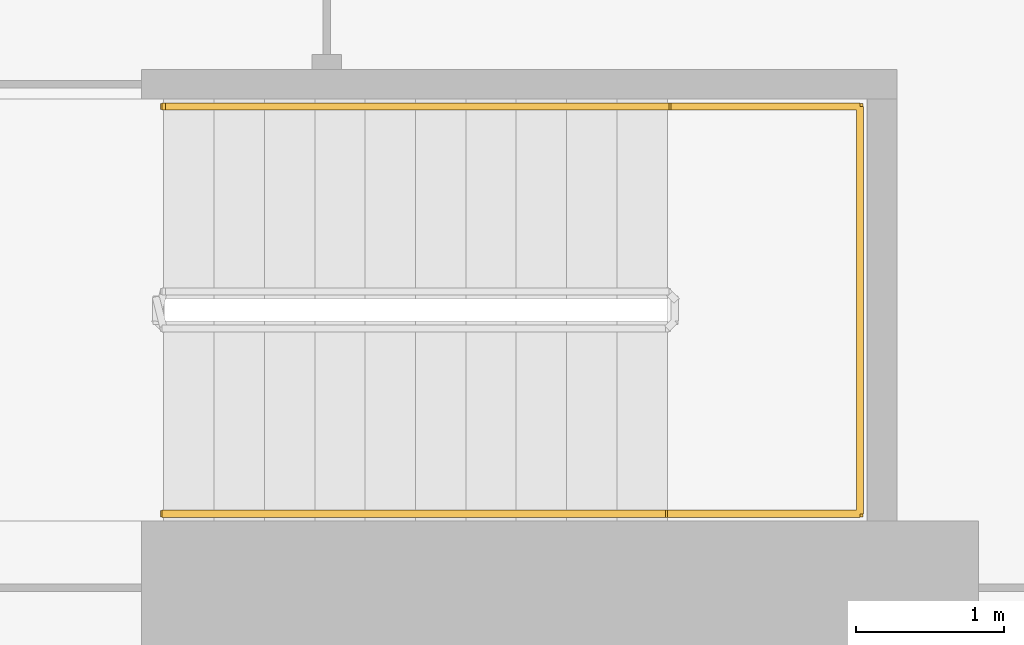
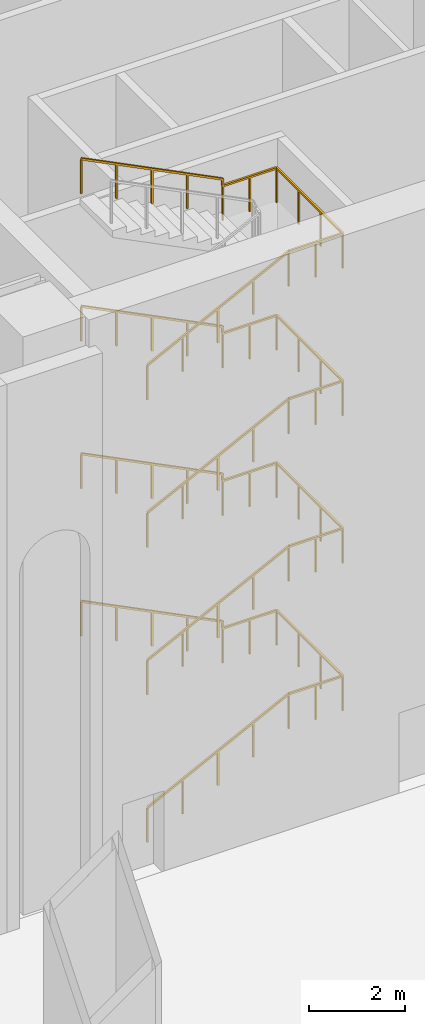
# One storey, part 15 of 18: 4 railings.
"""IFC4 building model written with IfcOpenShell, lengths in metres."""

from ifc_helpers import new_model, si_unit, direction, frame, origin, origin_2d, place, context, subcontext, project, spatial, rectangle, extrude, material, type_object, element, save


model = new_model("IFC4")

# Units and contexts
model_context = context("Model", 3, precision=1e-05, world=origin(), true_north=direction((0.0, 1.0)))
body_context = subcontext(model_context, "Body", "Model", "MODEL_VIEW")
ifc_project = project(units=[si_unit("LENGTHUNIT", "METRE"), si_unit("AREAUNIT", "SQUARE_METRE"), si_unit("VOLUMEUNIT", "CUBIC_METRE"), si_unit("PLANEANGLEUNIT", "RADIAN"), si_unit("MASSUNIT", "GRAM", prefix="KILO")], contexts=[model_context])

# Site, building, storey
site_placement = place(None, origin())
site = spatial("IfcSite", under=ifc_project, at=site_placement, CompositionType="ELEMENT")
building_placement = place(site_placement, origin())
building = spatial("IfcBuilding", under=site, at=building_placement, Name="Perihelion Cross Residences", CompositionType="ELEMENT")
storey_placement = place(building_placement, origin())
storey = spatial("IfcBuildingStorey", under=building, at=storey_placement, Name="L00", CompositionType="ELEMENT", Elevation=0.0)

# Railings
ifc_material = material(Name="Stainless steel", Category="steel")
railing_type = type_object("IfcRailingType", Name="Stair handrail 900", PredefinedType="HANDRAIL", material=ifc_material)
railing_1_placement = place(storey_placement, frame((23.39990234375, -8.050048828125, 0.17041015625)))
element("IfcRailing", 1, at=railing_1_placement, inside=storey, type_object=railing_type, Name="L00 ST-E2 stair handrail 1", PredefinedType="HANDRAIL", context=body_context, shape_type="SweptSolid", body=[
    extrude(rectangle(XDim=0.048095703125, YDim=0.048095703125, at=origin_2d()), frame((0.0, 0.0, 0.8759765625), z_axis=(0.893951692422, 0.0, 0.448163331406), x_axis=(0.0, 1.0, 0.0)), (0.0, 0.0, 1.0), 3.803466796875),
    extrude(rectangle(XDim=0.048095703125, YDim=0.048095703125, at=origin_2d()), frame((3.400146484375, 0.0, 2.58056640625), z_axis=(1.0, 0.0, 0.0), x_axis=(0.0, 1.0, 0.0)), (0.0, 0.0, 1.0), 1.300048828125),
    extrude(rectangle(XDim=0.048095703125, YDim=0.048095703125, at=origin_2d()), frame((4.7001953125, 0.0, 2.58056640625), z_axis=(0.0, 1.0, 0.0), x_axis=(-1.0, 0.0, 0.0)), (0.0, 0.0, 1.0), 2.75),
    extrude(rectangle(XDim=0.048095703125, YDim=0.048095703125, at=origin_2d()), frame((4.7001953125, 2.75, 2.58056640625), z_axis=(-1.0, 0.0, 0.0), x_axis=(0.0, -1.0, 0.0)), (0.0, 0.0, 1.0), 1.300048828125),
    extrude(rectangle(XDim=0.048095703125, YDim=0.048095703125, at=origin_2d()), frame((3.400146484375, 2.75, 2.58056640625), z_axis=(0.0, 0.0, 1.0), x_axis=(1.0, 0.0, 0.0)), (0.0, 0.0, 1.0), 0.17041015625),
    extrude(rectangle(XDim=0.048095703125, YDim=0.048095703125, at=origin_2d()), frame((3.400146484375, 2.75, 2.7509765625), z_axis=(-0.893951692422, 0.0, 0.448163331406), x_axis=(0.0, -1.0, 0.0)), (0.0, 0.0, 1.0), 3.803466796875),
    extrude(rectangle(XDim=0.0419921875, YDim=0.0419921875, at=origin_2d()), origin(), (0.0, 0.0, 1.0), 0.851806640625),
    extrude(rectangle(XDim=0.0419921875, YDim=0.0419921875, at=origin_2d()), frame((0.85009765625, 0.0, 0.42626953125)), (0.0, 0.0, 1.0), 0.851806640625),
    extrude(rectangle(XDim=0.0419921875, YDim=0.0419921875, at=origin_2d()), frame((1.7001953125, 0.0, 0.852294921875)), (0.0, 0.0, 1.0), 0.851806640625),
    extrude(rectangle(XDim=0.0419921875, YDim=0.0419921875, at=origin_2d()), frame((2.550048828125, 0.0, 1.2783203125)), (0.0, 0.0, 1.0), 0.851806640625),
    extrude(rectangle(XDim=0.0419921875, YDim=0.0419921875, at=origin_2d()), frame((3.400146484375, 0.0, 1.70458984375)), (0.0, 0.0, 1.0), 0.851806640625),
    extrude(rectangle(XDim=0.0419921875, YDim=0.0419921875, at=origin_2d()), frame((4.05029296875, 0.0, 1.70458984375)), (0.0, 0.0, 1.0), 0.851806640625),
    extrude(rectangle(XDim=0.0419921875, YDim=0.0419921875, at=origin_2d()), frame((4.7001953125, 0.0, 1.70458984375)), (0.0, 0.0, 1.0), 0.851806640625),
    extrude(rectangle(XDim=0.0419921875, YDim=0.0419921875, at=origin_2d()), frame((4.7001953125, 0.916748046875, 1.70458984375)), (0.0, 0.0, 1.0), 0.851806640625),
    extrude(rectangle(XDim=0.0419921875, YDim=0.0419921875, at=origin_2d()), frame((4.7001953125, 1.833251953125, 1.70458984375)), (0.0, 0.0, 1.0), 0.851806640625),
    extrude(rectangle(XDim=0.0419921875, YDim=0.0419921875, at=origin_2d()), frame((4.7001953125, 2.75, 1.70458984375)), (0.0, 0.0, 1.0), 0.851806640625),
    extrude(rectangle(XDim=0.0419921875, YDim=0.0419921875, at=origin_2d()), frame((4.05029296875, 2.75, 1.70458984375)), (0.0, 0.0, 1.0), 0.851806640625),
    extrude(rectangle(XDim=0.0419921875, YDim=0.0419921875, at=origin_2d()), frame((3.400146484375, 2.75, 1.70458984375)), (0.0, 0.0, 1.0), 0.851806640625),
    extrude(rectangle(XDim=0.0419921875, YDim=0.0419921875, at=origin_2d()), frame((3.400146484375, 2.75, 1.875)), (0.0, 0.0, 1.0), 0.851806640625),
    extrude(rectangle(XDim=0.0419921875, YDim=0.0419921875, at=origin_2d()), frame((2.550048828125, 2.75, 2.30126953125)), (0.0, 0.0, 1.0), 0.851806640625),
    extrude(rectangle(XDim=0.0419921875, YDim=0.0419921875, at=origin_2d()), frame((1.7001953125, 2.75, 2.727294921875)), (0.0, 0.0, 1.0), 0.851806640625),
    extrude(rectangle(XDim=0.0419921875, YDim=0.0419921875, at=origin_2d()), frame((0.85009765625, 2.75, 3.1533203125)), (0.0, 0.0, 1.0), 0.851806640625),
    extrude(rectangle(XDim=0.0419921875, YDim=0.0419921875, at=origin_2d()), frame((0.0, 2.75, 3.57958984375)), (0.0, 0.0, 1.0), 0.851806640625),
])
railing_2_placement = place(storey_placement, frame((23.39990234375, -8.050048828125, 3.92041015625)))
element("IfcRailing", 2, at=railing_2_placement, inside=storey, type_object=railing_type, Name="L00 ST-E2 stair handrail 2", PredefinedType="HANDRAIL", context=body_context, shape_type="SweptSolid", body=[
    extrude(rectangle(XDim=0.048095703125, YDim=0.048095703125, at=origin_2d()), frame((0.0, 0.0, 0.8759765625), z_axis=(0.893951692422, 0.0, 0.448163331406), x_axis=(0.0, 1.0, 0.0)), (0.0, 0.0, 1.0), 3.803466796875),
    extrude(rectangle(XDim=0.048095703125, YDim=0.048095703125, at=origin_2d()), frame((3.400146484375, 0.0, 2.58056640625), z_axis=(1.0, 0.0, 0.0), x_axis=(0.0, 1.0, 0.0)), (0.0, 0.0, 1.0), 1.300048828125),
    extrude(rectangle(XDim=0.048095703125, YDim=0.048095703125, at=origin_2d()), frame((4.7001953125, 0.0, 2.58056640625), z_axis=(0.0, 1.0, 0.0), x_axis=(-1.0, 0.0, 0.0)), (0.0, 0.0, 1.0), 2.75),
    extrude(rectangle(XDim=0.048095703125, YDim=0.048095703125, at=origin_2d()), frame((4.7001953125, 2.75, 2.58056640625), z_axis=(-1.0, 0.0, 0.0), x_axis=(0.0, -1.0, 0.0)), (0.0, 0.0, 1.0), 1.300048828125),
    extrude(rectangle(XDim=0.048095703125, YDim=0.048095703125, at=origin_2d()), frame((3.400146484375, 2.75, 2.58056640625), z_axis=(0.0, 0.0, 1.0), x_axis=(1.0, 0.0, 0.0)), (0.0, 0.0, 1.0), 0.17041015625),
    extrude(rectangle(XDim=0.048095703125, YDim=0.048095703125, at=origin_2d()), frame((3.400146484375, 2.75, 2.7509765625), z_axis=(-0.893951692422, 0.0, 0.448163331406), x_axis=(0.0, -1.0, 0.0)), (0.0, 0.0, 1.0), 3.803466796875),
    extrude(rectangle(XDim=0.0419921875, YDim=0.0419921875, at=origin_2d()), origin(), (0.0, 0.0, 1.0), 0.851806640625),
    extrude(rectangle(XDim=0.0419921875, YDim=0.0419921875, at=origin_2d()), frame((0.85009765625, 0.0, 0.42626953125)), (0.0, 0.0, 1.0), 0.851806640625),
    extrude(rectangle(XDim=0.0419921875, YDim=0.0419921875, at=origin_2d()), frame((1.7001953125, 0.0, 0.852294921875)), (0.0, 0.0, 1.0), 0.851806640625),
    extrude(rectangle(XDim=0.0419921875, YDim=0.0419921875, at=origin_2d()), frame((2.550048828125, 0.0, 1.2783203125)), (0.0, 0.0, 1.0), 0.851806640625),
    extrude(rectangle(XDim=0.0419921875, YDim=0.0419921875, at=origin_2d()), frame((3.400146484375, 0.0, 1.70458984375)), (0.0, 0.0, 1.0), 0.851806640625),
    extrude(rectangle(XDim=0.0419921875, YDim=0.0419921875, at=origin_2d()), frame((4.05029296875, 0.0, 1.70458984375)), (0.0, 0.0, 1.0), 0.851806640625),
    extrude(rectangle(XDim=0.0419921875, YDim=0.0419921875, at=origin_2d()), frame((4.7001953125, 0.0, 1.70458984375)), (0.0, 0.0, 1.0), 0.851806640625),
    extrude(rectangle(XDim=0.0419921875, YDim=0.0419921875, at=origin_2d()), frame((4.7001953125, 0.916748046875, 1.70458984375)), (0.0, 0.0, 1.0), 0.851806640625),
    extrude(rectangle(XDim=0.0419921875, YDim=0.0419921875, at=origin_2d()), frame((4.7001953125, 1.833251953125, 1.70458984375)), (0.0, 0.0, 1.0), 0.851806640625),
    extrude(rectangle(XDim=0.0419921875, YDim=0.0419921875, at=origin_2d()), frame((4.7001953125, 2.75, 1.70458984375)), (0.0, 0.0, 1.0), 0.851806640625),
    extrude(rectangle(XDim=0.0419921875, YDim=0.0419921875, at=origin_2d()), frame((4.05029296875, 2.75, 1.70458984375)), (0.0, 0.0, 1.0), 0.851806640625),
    extrude(rectangle(XDim=0.0419921875, YDim=0.0419921875, at=origin_2d()), frame((3.400146484375, 2.75, 1.70458984375)), (0.0, 0.0, 1.0), 0.851806640625),
    extrude(rectangle(XDim=0.0419921875, YDim=0.0419921875, at=origin_2d()), frame((3.400146484375, 2.75, 1.875)), (0.0, 0.0, 1.0), 0.851806640625),
    extrude(rectangle(XDim=0.0419921875, YDim=0.0419921875, at=origin_2d()), frame((2.550048828125, 2.75, 2.30126953125)), (0.0, 0.0, 1.0), 0.851806640625),
    extrude(rectangle(XDim=0.0419921875, YDim=0.0419921875, at=origin_2d()), frame((1.7001953125, 2.75, 2.727294921875)), (0.0, 0.0, 1.0), 0.851806640625),
    extrude(rectangle(XDim=0.0419921875, YDim=0.0419921875, at=origin_2d()), frame((0.85009765625, 2.75, 3.1533203125)), (0.0, 0.0, 1.0), 0.851806640625),
    extrude(rectangle(XDim=0.0419921875, YDim=0.0419921875, at=origin_2d()), frame((0.0, 2.75, 3.57958984375)), (0.0, 0.0, 1.0), 0.851806640625),
])
railing_3_placement = place(storey_placement, frame((23.39990234375, -8.050048828125, 7.67041015625)))
element("IfcRailing", 3, at=railing_3_placement, inside=storey, type_object=railing_type, Name="L00 ST-E2 stair handrail 3", PredefinedType="HANDRAIL", context=body_context, shape_type="SweptSolid", body=[
    extrude(rectangle(XDim=0.048095703125, YDim=0.048095703125, at=origin_2d()), frame((0.0, 0.0, 0.8759765625), z_axis=(0.893951692422, 0.0, 0.448163331406), x_axis=(0.0, 1.0, 0.0)), (0.0, 0.0, 1.0), 3.803466796875),
    extrude(rectangle(XDim=0.048095703125, YDim=0.048095703125, at=origin_2d()), frame((3.400146484375, 0.0, 2.58056640625), z_axis=(1.0, 0.0, 0.0), x_axis=(0.0, 1.0, 0.0)), (0.0, 0.0, 1.0), 1.300048828125),
    extrude(rectangle(XDim=0.048095703125, YDim=0.048095703125, at=origin_2d()), frame((4.7001953125, 0.0, 2.58056640625), z_axis=(0.0, 1.0, 0.0), x_axis=(-1.0, 0.0, 0.0)), (0.0, 0.0, 1.0), 2.75),
    extrude(rectangle(XDim=0.048095703125, YDim=0.048095703125, at=origin_2d()), frame((4.7001953125, 2.75, 2.58056640625), z_axis=(-1.0, 0.0, 0.0), x_axis=(0.0, -1.0, 0.0)), (0.0, 0.0, 1.0), 1.300048828125),
    extrude(rectangle(XDim=0.048095703125, YDim=0.048095703125, at=origin_2d()), frame((3.400146484375, 2.75, 2.58056640625), z_axis=(0.0, 0.0, 1.0), x_axis=(1.0, 0.0, 0.0)), (0.0, 0.0, 1.0), 0.17041015625),
    extrude(rectangle(XDim=0.048095703125, YDim=0.048095703125, at=origin_2d()), frame((3.400146484375, 2.75, 2.7509765625), z_axis=(-0.893951692422, 0.0, 0.448163331406), x_axis=(0.0, -1.0, 0.0)), (0.0, 0.0, 1.0), 3.803466796875),
    extrude(rectangle(XDim=0.0419921875, YDim=0.0419921875, at=origin_2d()), origin(), (0.0, 0.0, 1.0), 0.851806640625),
    extrude(rectangle(XDim=0.0419921875, YDim=0.0419921875, at=origin_2d()), frame((0.85009765625, 0.0, 0.42626953125)), (0.0, 0.0, 1.0), 0.851806640625),
    extrude(rectangle(XDim=0.0419921875, YDim=0.0419921875, at=origin_2d()), frame((1.7001953125, 0.0, 0.852294921875)), (0.0, 0.0, 1.0), 0.851806640625),
    extrude(rectangle(XDim=0.0419921875, YDim=0.0419921875, at=origin_2d()), frame((2.550048828125, 0.0, 1.2783203125)), (0.0, 0.0, 1.0), 0.851806640625),
    extrude(rectangle(XDim=0.0419921875, YDim=0.0419921875, at=origin_2d()), frame((3.400146484375, 0.0, 1.70458984375)), (0.0, 0.0, 1.0), 0.851806640625),
    extrude(rectangle(XDim=0.0419921875, YDim=0.0419921875, at=origin_2d()), frame((4.05029296875, 0.0, 1.70458984375)), (0.0, 0.0, 1.0), 0.851806640625),
    extrude(rectangle(XDim=0.0419921875, YDim=0.0419921875, at=origin_2d()), frame((4.7001953125, 0.0, 1.70458984375)), (0.0, 0.0, 1.0), 0.851806640625),
    extrude(rectangle(XDim=0.0419921875, YDim=0.0419921875, at=origin_2d()), frame((4.7001953125, 0.916748046875, 1.70458984375)), (0.0, 0.0, 1.0), 0.851806640625),
    extrude(rectangle(XDim=0.0419921875, YDim=0.0419921875, at=origin_2d()), frame((4.7001953125, 1.833251953125, 1.70458984375)), (0.0, 0.0, 1.0), 0.851806640625),
    extrude(rectangle(XDim=0.0419921875, YDim=0.0419921875, at=origin_2d()), frame((4.7001953125, 2.75, 1.70458984375)), (0.0, 0.0, 1.0), 0.851806640625),
    extrude(rectangle(XDim=0.0419921875, YDim=0.0419921875, at=origin_2d()), frame((4.05029296875, 2.75, 1.70458984375)), (0.0, 0.0, 1.0), 0.851806640625),
    extrude(rectangle(XDim=0.0419921875, YDim=0.0419921875, at=origin_2d()), frame((3.400146484375, 2.75, 1.70458984375)), (0.0, 0.0, 1.0), 0.851806640625),
    extrude(rectangle(XDim=0.0419921875, YDim=0.0419921875, at=origin_2d()), frame((3.400146484375, 2.75, 1.875)), (0.0, 0.0, 1.0), 0.851806640625),
    extrude(rectangle(XDim=0.0419921875, YDim=0.0419921875, at=origin_2d()), frame((2.550048828125, 2.75, 2.30126953125)), (0.0, 0.0, 1.0), 0.851806640625),
    extrude(rectangle(XDim=0.0419921875, YDim=0.0419921875, at=origin_2d()), frame((1.7001953125, 2.75, 2.727294921875)), (0.0, 0.0, 1.0), 0.851806640625),
    extrude(rectangle(XDim=0.0419921875, YDim=0.0419921875, at=origin_2d()), frame((0.85009765625, 2.75, 3.1533203125)), (0.0, 0.0, 1.0), 0.851806640625),
    extrude(rectangle(XDim=0.0419921875, YDim=0.0419921875, at=origin_2d()), frame((0.0, 2.75, 3.57958984375)), (0.0, 0.0, 1.0), 0.851806640625),
])
railing_4_placement = place(storey_placement, frame((23.39990234375, -8.050048828125, 11.42041015625)))
element("IfcRailing", 4, at=railing_4_placement, inside=storey, type_object=railing_type, Name="L00 ST-E2 stair handrail 4", PredefinedType="HANDRAIL", context=body_context, shape_type="SweptSolid", body=[
    extrude(rectangle(XDim=0.048095703125, YDim=0.048095703125, at=origin_2d()), frame((0.0, 0.0, 0.8759765625), z_axis=(0.893951692422, 0.0, 0.448163331406), x_axis=(0.0, 1.0, 0.0)), (0.0, 0.0, 1.0), 3.803466796875),
    extrude(rectangle(XDim=0.048095703125, YDim=0.048095703125, at=origin_2d()), frame((3.400146484375, 0.0, 2.58056640625), z_axis=(1.0, 0.0, 0.0), x_axis=(0.0, 1.0, 0.0)), (0.0, 0.0, 1.0), 1.300048828125),
    extrude(rectangle(XDim=0.048095703125, YDim=0.048095703125, at=origin_2d()), frame((4.7001953125, 0.0, 2.58056640625), z_axis=(0.0, 1.0, 0.0), x_axis=(-1.0, 0.0, 0.0)), (0.0, 0.0, 1.0), 2.75),
    extrude(rectangle(XDim=0.048095703125, YDim=0.048095703125, at=origin_2d()), frame((4.7001953125, 2.75, 2.58056640625), z_axis=(-1.0, 0.0, 0.0), x_axis=(0.0, -1.0, 0.0)), (0.0, 0.0, 1.0), 1.300048828125),
    extrude(rectangle(XDim=0.048095703125, YDim=0.048095703125, at=origin_2d()), frame((3.400146484375, 2.75, 2.58056640625), z_axis=(0.0, 0.0, 1.0), x_axis=(1.0, 0.0, 0.0)), (0.0, 0.0, 1.0), 0.17041015625),
    extrude(rectangle(XDim=0.048095703125, YDim=0.048095703125, at=origin_2d()), frame((3.400146484375, 2.75, 2.7509765625), z_axis=(-0.893951692422, 0.0, 0.448163331406), x_axis=(0.0, -1.0, 0.0)), (0.0, 0.0, 1.0), 3.803466796875),
    extrude(rectangle(XDim=0.0419921875, YDim=0.0419921875, at=origin_2d()), origin(), (0.0, 0.0, 1.0), 0.851806640625),
    extrude(rectangle(XDim=0.0419921875, YDim=0.0419921875, at=origin_2d()), frame((0.85009765625, 0.0, 0.42626953125)), (0.0, 0.0, 1.0), 0.851806640625),
    extrude(rectangle(XDim=0.0419921875, YDim=0.0419921875, at=origin_2d()), frame((1.7001953125, 0.0, 0.852294921875)), (0.0, 0.0, 1.0), 0.851806640625),
    extrude(rectangle(XDim=0.0419921875, YDim=0.0419921875, at=origin_2d()), frame((2.550048828125, 0.0, 1.2783203125)), (0.0, 0.0, 1.0), 0.851806640625),
    extrude(rectangle(XDim=0.0419921875, YDim=0.0419921875, at=origin_2d()), frame((3.400146484375, 0.0, 1.70458984375)), (0.0, 0.0, 1.0), 0.851806640625),
    extrude(rectangle(XDim=0.0419921875, YDim=0.0419921875, at=origin_2d()), frame((4.05029296875, 0.0, 1.70458984375)), (0.0, 0.0, 1.0), 0.851806640625),
    extrude(rectangle(XDim=0.0419921875, YDim=0.0419921875, at=origin_2d()), frame((4.7001953125, 0.0, 1.70458984375)), (0.0, 0.0, 1.0), 0.851806640625),
    extrude(rectangle(XDim=0.0419921875, YDim=0.0419921875, at=origin_2d()), frame((4.7001953125, 0.916748046875, 1.70458984375)), (0.0, 0.0, 1.0), 0.851806640625),
    extrude(rectangle(XDim=0.0419921875, YDim=0.0419921875, at=origin_2d()), frame((4.7001953125, 1.833251953125, 1.70458984375)), (0.0, 0.0, 1.0), 0.851806640625),
    extrude(rectangle(XDim=0.0419921875, YDim=0.0419921875, at=origin_2d()), frame((4.7001953125, 2.75, 1.70458984375)), (0.0, 0.0, 1.0), 0.851806640625),
    extrude(rectangle(XDim=0.0419921875, YDim=0.0419921875, at=origin_2d()), frame((4.05029296875, 2.75, 1.70458984375)), (0.0, 0.0, 1.0), 0.851806640625),
    extrude(rectangle(XDim=0.0419921875, YDim=0.0419921875, at=origin_2d()), frame((3.400146484375, 2.75, 1.70458984375)), (0.0, 0.0, 1.0), 0.851806640625),
    extrude(rectangle(XDim=0.0419921875, YDim=0.0419921875, at=origin_2d()), frame((3.400146484375, 2.75, 1.875)), (0.0, 0.0, 1.0), 0.851806640625),
    extrude(rectangle(XDim=0.0419921875, YDim=0.0419921875, at=origin_2d()), frame((2.550048828125, 2.75, 2.30126953125)), (0.0, 0.0, 1.0), 0.851806640625),
    extrude(rectangle(XDim=0.0419921875, YDim=0.0419921875, at=origin_2d()), frame((1.7001953125, 2.75, 2.727294921875)), (0.0, 0.0, 1.0), 0.851806640625),
    extrude(rectangle(XDim=0.0419921875, YDim=0.0419921875, at=origin_2d()), frame((0.85009765625, 2.75, 3.1533203125)), (0.0, 0.0, 1.0), 0.851806640625),
    extrude(rectangle(XDim=0.0419921875, YDim=0.0419921875, at=origin_2d()), frame((0.0, 2.75, 3.57958984375)), (0.0, 0.0, 1.0), 0.851806640625),
])

save(model, "model.ifc")
